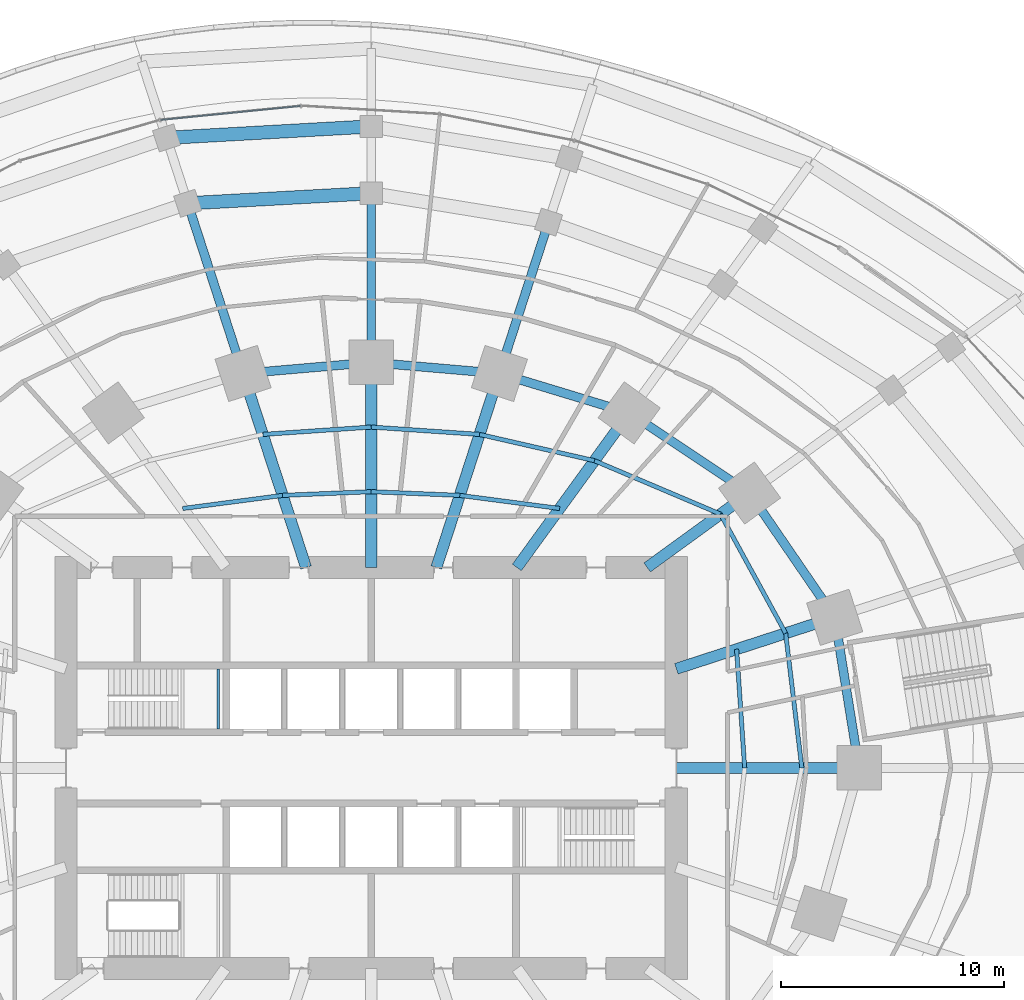
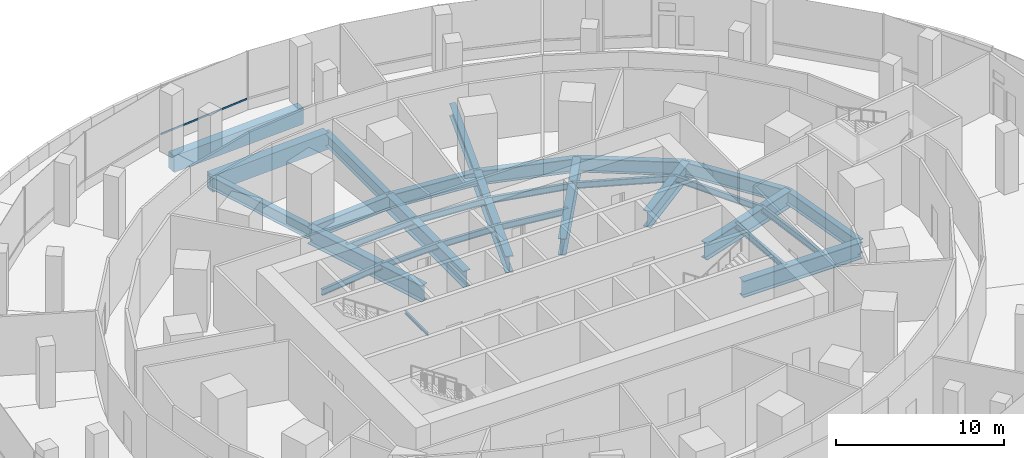
# One storey, part 11 of 27: 30 beams, 1 member, 1 element without a shape of its own.
"""IFC4 building model written with IfcOpenShell, lengths in metres."""

from ifc_helpers import new_model, si_unit, direction, frame, origin, origin_2d, place, context, subcontext, project, spatial, rectangle, i_section, extrude, material, material_profile, profile_set, type_object, element, aggregate, save


model = new_model("IFC4")

# Units and contexts
model_context = context("Model", 3, precision=1e-05, world=origin(), true_north=direction((0.0, 1.0)))
body_context = subcontext(model_context, "Body", "Model", "MODEL_VIEW")
ifc_project = project(units=[si_unit("LENGTHUNIT", "METRE"), si_unit("AREAUNIT", "SQUARE_METRE"), si_unit("VOLUMEUNIT", "CUBIC_METRE"), si_unit("PLANEANGLEUNIT", "RADIAN"), si_unit("MASSUNIT", "GRAM", prefix="KILO")], contexts=[model_context])

# Site, building, storey
site_placement = place(None, origin())
site = spatial("IfcSite", under=ifc_project, at=site_placement, CompositionType="ELEMENT")
building_placement = place(site_placement, origin())
building = spatial("IfcBuilding", under=site, at=building_placement, Name="Marramba Exchange Tower", CompositionType="ELEMENT")
storey_placement = place(building_placement, frame((0.0, 0.0, 10.60009765625)))
storey = spatial("IfcBuildingStorey", under=building, at=storey_placement, Name="L02", CompositionType="ELEMENT", Elevation=10.60009765625)

# Beams
ifc_material_1 = material(Name="Concrete N50", Category="concrete")
ifc_material_profile_1 = material_profile(ifc_material_1, rectangle(XDim=0.60009765625, YDim=1.199951171875, at=origin_2d()), Name="RC 600x1200")
ifc_profile_set_1 = profile_set([ifc_material_profile_1], Name="Concrete N50")
beam_type_1 = type_object("IfcBeamType", Name="Edge beam RC 600x1200 N50", PredefinedType="SPANDREL", material=ifc_profile_set_1)
beam_1_placement = place(storey_placement, frame((0.0, 28.800048828125, -0.800048828125), z_axis=(-0.998431244986, -0.055991508598, 0.0), x_axis=(0.055991508598, -0.998431244986, 0.0)))
element("IfcBeam", 1, at=beam_1_placement, inside=storey, type_object=beam_type_1, Name="Edge beam L02 P2C06", PredefinedType="SPANDREL", context=body_context, shape_type="SweptSolid", body=[
    extrude(rectangle(XDim=0.60009765625, YDim=1.199951171875, at=origin_2d()), origin(), (0.0, 0.0, 1.0), 9.20458984375),
])
beam_2_placement = place(storey_placement, frame((0.0, 25.800048828125, -0.800048828125), z_axis=(-0.998493145598, -0.054876572358, 0.0), x_axis=(0.054876572358, -0.998493145598, 0.0)))
element("IfcBeam", 2, at=beam_2_placement, inside=storey, type_object=beam_type_1, Name="Edge beam L02 P3C06", PredefinedType="SPANDREL", context=body_context, shape_type="SweptSolid", body=[
    extrude(rectangle(XDim=0.60009765625, YDim=1.199951171875, at=origin_2d()), origin(), (0.0, 0.0, 1.0), 8.248291015625),
])
ifc_material_2 = material(Name="Steel AS/NZS 3679.1 grade 300", Category="steel")
ifc_material_profile_2 = material_profile(ifc_material_2, i_section(OverallWidth=0.18994140625, OverallDepth=0.4541015625, WebThickness=0.008544921875, FlangeThickness=0.0126953125, FilletRadius=0.011474609375, at=origin_2d()), Name="460UB67.1")
ifc_profile_set_2 = profile_set([ifc_material_profile_2], Name="Steel AS/NZS 3679.1 grade 300")
beam_type_2 = type_object("IfcBeamType", Name="Floor joist 460UB67.1", PredefinedType="JOIST", material=ifc_profile_set_2)
beam_3_placement = place(storey_placement, frame((16.7666015625, 0.0, -0.427001953125), z_axis=(-0.068096259546, 0.99767875563, 0.0), x_axis=(-0.99767875563, -0.068096259546, 0.0)))
element("IfcBeam", 3, at=beam_3_placement, inside=storey, type_object=beam_type_2, Name="Joist L02 bay 01 row 1", PredefinedType="JOIST", context=body_context, shape_type="SweptSolid", body=[
    extrude(i_section(OverallWidth=0.18994140625, OverallDepth=0.4541015625, WebThickness=0.008544921875, FlangeThickness=0.0126953125, FilletRadius=0.011474609375, at=origin_2d()), origin(), (0.0, 0.0, 1.0), 5.342041015625),
])
beam_4_placement = place(storey_placement, frame((19.333251953125, 0.0, -0.427001953125), z_axis=(-0.119523078538, 0.992831422597, 0.0), x_axis=(-0.992831422597, -0.119523078538, 0.0)))
element("IfcBeam", 4, at=beam_4_placement, inside=storey, type_object=beam_type_2, Name="Joist L02 bay 01 row 2", PredefinedType="JOIST", context=body_context, shape_type="SweptSolid", body=[
    extrude(i_section(OverallWidth=0.18994140625, OverallDepth=0.4541015625, WebThickness=0.008544921875, FlangeThickness=0.0126953125, FilletRadius=0.011474609375, at=origin_2d()), origin(), (0.0, 0.0, 1.0), 6.089111328125),
])
beam_5_placement = place(storey_placement, frame((18.60546875, 6.04541015625, -0.427001953125), z_axis=(-0.479584443791, 0.877495732909, 0.0), x_axis=(-0.877495732909, -0.479584443791, 0.0)))
element("IfcBeam", 5, at=beam_5_placement, inside=storey, type_object=beam_type_2, Name="Joist L02 bay 02 row 2", PredefinedType="JOIST", context=body_context, shape_type="SweptSolid", body=[
    extrude(i_section(OverallWidth=0.18994140625, OverallDepth=0.4541015625, WebThickness=0.008544921875, FlangeThickness=0.0126953125, FilletRadius=0.011474609375, at=origin_2d()), origin(), (0.0, 0.0, 1.0), 6.094970703125),
])
beam_6_placement = place(storey_placement, frame((15.682373046875, 11.393798828125, -0.427001953125), z_axis=(-0.920674336375, 0.390331610738, 0.0), x_axis=(-0.390331610738, -0.920674336375, 0.0)))
element("IfcBeam", 6, at=beam_6_placement, inside=storey, type_object=beam_type_2, Name="Joist L02 bay 03 row 2", PredefinedType="JOIST", context=body_context, shape_type="SweptSolid", body=[
    extrude(i_section(OverallWidth=0.18994140625, OverallDepth=0.4541015625, WebThickness=0.008544921875, FlangeThickness=0.0126953125, FilletRadius=0.011474609375, at=origin_2d()), origin(), (0.0, 0.0, 1.0), 6.1484375),
])
beam_7_placement = place(storey_placement, frame((8.4619140625, 11.646728515625, -0.427001953125), z_axis=(-0.991480538255, 0.130254912618, 0.0), x_axis=(-0.130254912618, -0.991480538255, 0.0)))
element("IfcBeam", 7, at=beam_7_placement, inside=storey, type_object=beam_type_2, Name="Joist L02 bay 04 row 1", PredefinedType="JOIST", context=body_context, shape_type="SweptSolid", body=[
    extrude(i_section(OverallWidth=0.18994140625, OverallDepth=0.4541015625, WebThickness=0.008544921875, FlangeThickness=0.0126953125, FilletRadius=0.011474609375, at=origin_2d()), origin(), (0.0, 0.0, 1.0), 4.524658203125),
])
beam_8_placement = place(storey_placement, frame((10.021728515625, 13.793701171875, -0.427001953125), z_axis=(-0.974859652292, 0.222819788916, 0.0), x_axis=(-0.222819788916, -0.974859652292, 0.0)))
element("IfcBeam", 8, at=beam_8_placement, inside=storey, type_object=beam_type_2, Name="Joist L02 bay 04 row 2", PredefinedType="JOIST", context=body_context, shape_type="SweptSolid", body=[
    extrude(i_section(OverallWidth=0.18994140625, OverallDepth=0.4541015625, WebThickness=0.008544921875, FlangeThickness=0.0126953125, FilletRadius=0.011474609375, at=origin_2d()), origin(), (0.0, 0.0, 1.0), 5.2900390625),
])
beam_9_placement = place(storey_placement, frame((3.975830078125, 12.236083984375, -0.427001953125), z_axis=(-0.999137002892, 0.041536122257, 0.0), x_axis=(-0.041536122257, -0.999137002892, 0.0)))
element("IfcBeam", 9, at=beam_9_placement, inside=storey, type_object=beam_type_2, Name="Joist L02 bay 05 row 1", PredefinedType="JOIST", context=body_context, shape_type="SweptSolid", body=[
    extrude(i_section(OverallWidth=0.18994140625, OverallDepth=0.4541015625, WebThickness=0.008544921875, FlangeThickness=0.0126953125, FilletRadius=0.011474609375, at=origin_2d()), origin(), (0.0, 0.0, 1.0), 3.979248046875),
])
beam_10_placement = place(storey_placement, frame((4.86474609375, 14.972412109375, -0.427001953125), z_axis=(-0.997702652202, 0.067745241816, 0.0), x_axis=(-0.067745241816, -0.997702652202, 0.0)))
element("IfcBeam", 10, at=beam_10_placement, inside=storey, type_object=beam_type_2, Name="Joist L02 bay 05 row 2", PredefinedType="JOIST", context=body_context, shape_type="SweptSolid", body=[
    extrude(i_section(OverallWidth=0.18994140625, OverallDepth=0.4541015625, WebThickness=0.008544921875, FlangeThickness=0.0126953125, FilletRadius=0.011474609375, at=origin_2d()), origin(), (0.0, 0.0, 1.0), 4.8759765625),
])
beam_11_placement = place(storey_placement, frame((0.0, 12.4013671875, -0.427001953125), z_axis=(-0.999137002892, -0.041536122257, 0.0), x_axis=(0.041536122257, -0.999137002892, 0.0)))
element("IfcBeam", 11, at=beam_11_placement, inside=storey, type_object=beam_type_2, Name="Joist L02 bay 06 row 1", PredefinedType="JOIST", context=body_context, shape_type="SweptSolid", body=[
    extrude(i_section(OverallWidth=0.18994140625, OverallDepth=0.4541015625, WebThickness=0.008544921875, FlangeThickness=0.0126953125, FilletRadius=0.011474609375, at=origin_2d()), origin(), (0.0, 0.0, 1.0), 3.979248046875),
])
beam_12_placement = place(storey_placement, frame((0.0, 15.302734375, -0.427001953125), z_axis=(-0.997702652202, -0.067745241816, 0.0), x_axis=(0.067745241816, -0.997702652202, 0.0)))
element("IfcBeam", 12, at=beam_12_placement, inside=storey, type_object=beam_type_2, Name="Joist L02 bay 06 row 2", PredefinedType="JOIST", context=body_context, shape_type="SweptSolid", body=[
    extrude(i_section(OverallWidth=0.18994140625, OverallDepth=0.4541015625, WebThickness=0.008544921875, FlangeThickness=0.0126953125, FilletRadius=0.011474609375, at=origin_2d()), origin(), (0.0, 0.0, 1.0), 4.8759765625),
])
beam_13_placement = place(storey_placement, frame((-3.975830078125, 12.236083984375, -0.427001953125), z_axis=(-0.991480538255, -0.130254912618, 0.0), x_axis=(0.130254912618, -0.991480538255, 0.0)))
element("IfcBeam", 13, at=beam_13_placement, inside=storey, type_object=beam_type_2, Name="Joist L02 bay 07 row 1", PredefinedType="JOIST", context=body_context, shape_type="SweptSolid", body=[
    extrude(i_section(OverallWidth=0.18994140625, OverallDepth=0.4541015625, WebThickness=0.008544921875, FlangeThickness=0.0126953125, FilletRadius=0.011474609375, at=origin_2d()), origin(), (0.0, 0.0, 1.0), 4.524658203125),
])

# Curtain wall, member
ifc_material_3 = material(Name="Aluminium framing, bronze anodised", Category="aluminium")
curtain_wall_type = type_object("IfcCurtainWallType", Name="Podium ribbon curtain wall", PredefinedType="USERDEFINED", material=ifc_material_3)
curtain_wall_placement = place(storey_placement, origin())
curtain_wall = element("IfcCurtainWall", 14, at=curtain_wall_placement, inside=storey, type_object=curtain_wall_type, Name="Curtain wall CW2 L02 F06-F10", ObjectType="RIBBON CURTAIN WALL", PredefinedType="USERDEFINED")
ifc_material_4 = material(Name="Aluminium transom, bronze anodised", Category="aluminium")
ifc_material_profile_3 = material_profile(ifc_material_4, rectangle(XDim=0.06005859375, YDim=0.1201171875, at=origin_2d()), Name="CW2 transom 60x120")
ifc_profile_set_3 = profile_set([ifc_material_profile_3], Name="Aluminium transom, bronze anodised")
member_type = type_object("IfcMemberType", Name="Podium ribbon curtain wall transom", PredefinedType="USERDEFINED", material=ifc_profile_set_3)
member_placement = place(storey_placement, frame((-3.18359375, 29.71630859375, 0.829833984375), z_axis=(-0.995094193722, -0.098932025257, 0.0), x_axis=(0.098932025257, -0.995094193722, 0.0)))
member = element("IfcMember", 15, at=member_placement, type_object=member_type, Name="CW2 sill transom", ObjectType="TRANSOM", PredefinedType="USERDEFINED", context=body_context, shape_type="SweptSolid", body=[
    extrude(rectangle(XDim=0.06005859375, YDim=0.1201171875, at=origin_2d()), origin(), (0.0, 0.0, 1.0), 6.30029296875),
])
aggregate(curtain_wall, [member])

# Beams
ifc_material_5 = material(Name="Steel AS/NZS 3679.2 grade 300", Category="steel")
ifc_material_profile_4 = material_profile(ifc_material_5, i_section(OverallWidth=0.5, OverallDepth=1.199951171875, WebThickness=0.01611328125, FlangeThickness=0.0400390625, at=origin_2d()), Name="1200WB455")
ifc_profile_set_4 = profile_set([ifc_material_profile_4], Name="Steel AS/NZS 3679.2 grade 300")
beam_type_3 = type_object("IfcBeamType", Name="Radial girder 1200WB455", PredefinedType="BEAM", material=ifc_profile_set_4)
beam_14_placement = place(storey_placement, frame((13.699951171875, 0.0, -0.800048828125), z_axis=(1.0, 0.0, 0.0), x_axis=(0.0, 1.0, 0.0)))
element("IfcBeam", 16, at=beam_14_placement, inside=storey, type_object=beam_type_3, Name="Radial girder L02 TC01", PredefinedType="BEAM", context=body_context, shape_type="SweptSolid", body=[
    extrude(i_section(OverallWidth=0.5, OverallDepth=1.199951171875, WebThickness=0.01611328125, FlangeThickness=0.0400390625, at=origin_2d()), origin(), (0.0, 0.0, 1.0), 8.199951171875),
])
beam_15_placement = place(storey_placement, frame((13.699951171875, 4.451416015625, -0.800048828125), z_axis=(0.951059990189, 0.309006302624, 0.0), x_axis=(-0.309006302624, 0.951059990189, 0.0)))
element("IfcBeam", 17, at=beam_15_placement, inside=storey, type_object=beam_type_3, Name="Radial girder L02 TC02", PredefinedType="BEAM", context=body_context, shape_type="SweptSolid", body=[
    extrude(i_section(OverallWidth=0.5, OverallDepth=1.199951171875, WebThickness=0.01611328125, FlangeThickness=0.0400390625, at=origin_2d()), origin(), (0.0, 0.0, 1.0), 7.47412109375),
])
beam_16_placement = place(storey_placement, frame((12.387451171875, 9.0, -0.800048828125), z_axis=(0.809025746925, 0.587773205252, 0.0), x_axis=(-0.587773205252, 0.809025746925, 0.0)))
element("IfcBeam", 18, at=beam_16_placement, inside=storey, type_object=beam_type_3, Name="Radial girder L02 TC03", PredefinedType="BEAM", context=body_context, shape_type="SweptSolid", body=[
    extrude(i_section(OverallWidth=0.5, OverallDepth=1.199951171875, WebThickness=0.01611328125, FlangeThickness=0.0400390625, at=origin_2d()), origin(), (0.0, 0.0, 1.0), 5.683837890625),
])
beam_17_placement = place(storey_placement, frame((6.538818359375, 9.0, -0.800048828125), z_axis=(0.587782439969, 0.80901903764, 0.0), x_axis=(-0.80901903764, 0.587782439969, 0.0)))
element("IfcBeam", 19, at=beam_17_placement, inside=storey, type_object=beam_type_3, Name="Radial girder L02 TC04", PredefinedType="BEAM", context=body_context, shape_type="SweptSolid", body=[
    extrude(i_section(OverallWidth=0.5, OverallDepth=1.199951171875, WebThickness=0.01611328125, FlangeThickness=0.0400390625, at=origin_2d()), origin(), (0.0, 0.0, 1.0), 8.578857421875),
])
beam_18_placement = place(storey_placement, frame((2.92431640625, 9.0, -0.800048828125), z_axis=(0.309019754162, 0.951055619582, 0.0), x_axis=(-0.951055619582, 0.309019754162, 0.0)))
element("IfcBeam", 20, at=beam_18_placement, inside=storey, type_object=beam_type_3, Name="Radial girder L02 TC05", PredefinedType="BEAM", context=body_context, shape_type="SweptSolid", body=[
    extrude(i_section(OverallWidth=0.5, OverallDepth=1.199951171875, WebThickness=0.01611328125, FlangeThickness=0.0400390625, at=origin_2d()), origin(), (0.0, 0.0, 1.0), 9.15673828125),
])
beam_19_placement = place(storey_placement, frame((0.0, 9.0, -0.800048828125), z_axis=(0.0, 1.0, 0.0), x_axis=(-1.0, 0.0, 0.0)))
element("IfcBeam", 21, at=beam_19_placement, inside=storey, type_object=beam_type_3, Name="Radial girder L02 TC06", PredefinedType="BEAM", context=body_context, shape_type="SweptSolid", body=[
    extrude(i_section(OverallWidth=0.5, OverallDepth=1.199951171875, WebThickness=0.01611328125, FlangeThickness=0.0400390625, at=origin_2d()), origin(), (0.0, 0.0, 1.0), 9.2041015625),
])
beam_20_placement = place(storey_placement, frame((-2.92431640625, 9.0, -0.800048828125), z_axis=(-0.309019754162, 0.951055619582, 0.0), x_axis=(-0.951055619582, -0.309019754162, 0.0)))
element("IfcBeam", 22, at=beam_20_placement, inside=storey, type_object=beam_type_3, Name="Radial girder L02 TC07", PredefinedType="BEAM", context=body_context, shape_type="SweptSolid", body=[
    extrude(i_section(OverallWidth=0.5, OverallDepth=1.199951171875, WebThickness=0.01611328125, FlangeThickness=0.0400390625, at=origin_2d()), origin(), (0.0, 0.0, 1.0), 9.15673828125),
])
ifc_material_profile_5 = material_profile(ifc_material_5, i_section(OverallWidth=0.39990234375, OverallDepth=0.89990234375, WebThickness=0.01611328125, FlangeThickness=0.031982421875, at=origin_2d()), Name="900WB282")
ifc_profile_set_5 = profile_set([ifc_material_profile_5], Name="Steel AS/NZS 3679.2 grade 300")
beam_type_4 = type_object("IfcBeamType", Name="Radial girder 900WB282", PredefinedType="BEAM", material=ifc_profile_set_5)
beam_21_placement = place(storey_placement, frame((7.9619140625, 24.50390625, -0.650146484375), z_axis=(-0.309022717386, -0.951054656757, 0.0), x_axis=(0.951054656757, -0.309022717386, 0.0)))
element("IfcBeam", 23, at=beam_21_placement, inside=storey, type_object=beam_type_4, Name="Radial girder L02 P3C05", PredefinedType="BEAM", context=body_context, shape_type="SweptSolid", body=[
    extrude(i_section(OverallWidth=0.39990234375, OverallDepth=0.89990234375, WebThickness=0.01611328125, FlangeThickness=0.031982421875, at=origin_2d()), origin(), (0.0, 0.0, 1.0), 7.14501953125),
])
beam_22_placement = place(storey_placement, frame((0.0, 25.800048828125, -0.650146484375), z_axis=(0.0, -1.0, 0.0), x_axis=(1.0, 0.0, 0.0)))
element("IfcBeam", 24, at=beam_22_placement, inside=storey, type_object=beam_type_4, Name="Radial girder L02 P3C06", PredefinedType="BEAM", context=body_context, shape_type="SweptSolid", body=[
    extrude(i_section(OverallWidth=0.39990234375, OverallDepth=0.89990234375, WebThickness=0.01611328125, FlangeThickness=0.031982421875, at=origin_2d()), origin(), (0.0, 0.0, 1.0), 7.595947265625),
])
beam_23_placement = place(storey_placement, frame((-8.23583984375, 25.347412109375, -0.650146484375), z_axis=(0.309005656737, -0.951060200042, 0.0), x_axis=(0.951060200042, 0.309005656737, 0.0)))
element("IfcBeam", 25, at=beam_23_placement, inside=storey, type_object=beam_type_4, Name="Radial girder L02 P3C07", PredefinedType="BEAM", context=body_context, shape_type="SweptSolid", body=[
    extrude(i_section(OverallWidth=0.39990234375, OverallDepth=0.89990234375, WebThickness=0.01611328125, FlangeThickness=0.031982421875, at=origin_2d()), origin(), (0.0, 0.0, 1.0), 8.031982421875),
])
ifc_material_profile_6 = material_profile(ifc_material_5, i_section(OverallWidth=0.39990234375, OverallDepth=1.0, WebThickness=0.01611328125, FlangeThickness=0.031982421875, at=origin_2d()), Name="1000WB322")
ifc_profile_set_6 = profile_set([ifc_material_profile_6], Name="Steel AS/NZS 3679.2 grade 300")
beam_type_5 = type_object("IfcBeamType", Name="Ring beam 1000WB322", PredefinedType="SPANDREL", material=ifc_profile_set_6)
beam_24_placement = place(storey_placement, frame((21.89990234375, 0.0, -0.7001953125), z_axis=(-0.159384865399, 0.987216523708, 0.0), x_axis=(-0.987216523708, -0.159384865399, 0.0)))
element("IfcBeam", 26, at=beam_24_placement, inside=storey, type_object=beam_type_5, Name="Ring beam L02 TC01-TC02", PredefinedType="SPANDREL", context=body_context, shape_type="SweptSolid", body=[
    extrude(i_section(OverallWidth=0.39990234375, OverallDepth=1.0, WebThickness=0.01611328125, FlangeThickness=0.031982421875, at=origin_2d()), origin(), (0.0, 0.0, 1.0), 6.8486328125),
])
beam_25_placement = place(storey_placement, frame((20.808349609375, 6.760986328125, -0.7001953125), z_axis=(-0.56516002054, 0.824981303535, 0.0), x_axis=(-0.824981303535, -0.56516002054, 0.0)))
element("IfcBeam", 27, at=beam_25_placement, inside=storey, type_object=beam_type_5, Name="Ring beam L02 TC02-TC03", PredefinedType="SPANDREL", context=body_context, shape_type="SweptSolid", body=[
    extrude(i_section(OverallWidth=0.39990234375, OverallDepth=1.0, WebThickness=0.01611328125, FlangeThickness=0.031982421875, at=origin_2d()), origin(), (0.0, 0.0, 1.0), 6.763671875),
])
beam_26_placement = place(storey_placement, frame((16.98583984375, 12.3408203125, -0.7001953125), z_axis=(-0.832293151443, 0.554335737673, 0.0), x_axis=(-0.554335737673, -0.832293151443, 0.0)))
element("IfcBeam", 28, at=beam_26_placement, inside=storey, type_object=beam_type_5, Name="Ring beam L02 TC03-TC04", PredefinedType="SPANDREL", context=body_context, shape_type="SweptSolid", body=[
    extrude(i_section(OverallWidth=0.39990234375, OverallDepth=1.0, WebThickness=0.01611328125, FlangeThickness=0.031982421875, at=origin_2d()), origin(), (0.0, 0.0, 1.0), 6.49365234375),
])
beam_27_placement = place(storey_placement, frame((11.581298828125, 15.9404296875, -0.7001953125), z_axis=(-0.956924542524, 0.290336735387, 0.0), x_axis=(-0.290336735387, -0.956924542524, 0.0)))
element("IfcBeam", 29, at=beam_27_placement, inside=storey, type_object=beam_type_5, Name="Ring beam L02 TC04-TC05", PredefinedType="SPANDREL", context=body_context, shape_type="SweptSolid", body=[
    extrude(i_section(OverallWidth=0.39990234375, OverallDepth=1.0, WebThickness=0.01611328125, FlangeThickness=0.031982421875, at=origin_2d()), origin(), (0.0, 0.0, 1.0), 6.089599609375),
])
for number, where, z_axis, x_axis, name in (
    (30, (5.75390625, 17.70849609375, -0.7001953125), (-0.996311003275, 0.085815993578, 0.0), (-0.085815993578, -0.996311003275, 0.0), "Ring beam L02 TC05-TC06"),
    (31, (0.0, 18.2041015625, -0.7001953125), (-0.996311003275, -0.085815993578, 0.0), (0.085815993578, -0.996311003275, 0.0), "Ring beam L02 TC06-TC07"),
):
    element("IfcBeam", number, at=place(storey_placement, frame(where, z_axis=z_axis, x_axis=x_axis)), inside=storey, type_object=beam_type_5, Name=name, PredefinedType="SPANDREL", context=body_context, shape_type="SweptSolid", body=[
        extrude(i_section(OverallWidth=0.39990234375, OverallDepth=1.0, WebThickness=0.01611328125, FlangeThickness=0.031982421875, at=origin_2d()), origin(), (0.0, 0.0, 1.0), 5.775146484375),
    ])
ifc_material_profile_7 = material_profile(ifc_material_2, i_section(OverallWidth=0.133056640625, OverallDepth=0.202880859375, WebThickness=0.005859375, FlangeThickness=0.0078125, FilletRadius=0.0087890625, at=origin_2d()), Name="200UB25.4")
ifc_profile_set_7 = profile_set([ifc_material_profile_7], Name="Steel AS/NZS 3679.1 grade 300")
beam_type_6 = type_object("IfcBeamType", Name="Stair landing beam 200UB25.4", PredefinedType="BEAM", material=ifc_profile_set_7)
beam_28_placement = place(storey_placement, frame((-6.866455078125, 1.75, 1.948486328125), z_axis=(0.0, 1.0, 0.0), x_axis=(-1.0, 0.0, 0.0)))
element("IfcBeam", 32, at=beam_28_placement, inside=storey, type_object=beam_type_6, Name="Stair landing beam SLB1 ST1 L02 2", PredefinedType="BEAM", context=body_context, shape_type="SweptSolid", body=[
    extrude(i_section(OverallWidth=0.133056640625, OverallDepth=0.202880859375, WebThickness=0.005859375, FlangeThickness=0.0078125, FilletRadius=0.0087890625, at=origin_2d()), origin(), (0.0, 0.0, 1.0), 2.699951171875),
])

save(model, "model.ifc")
